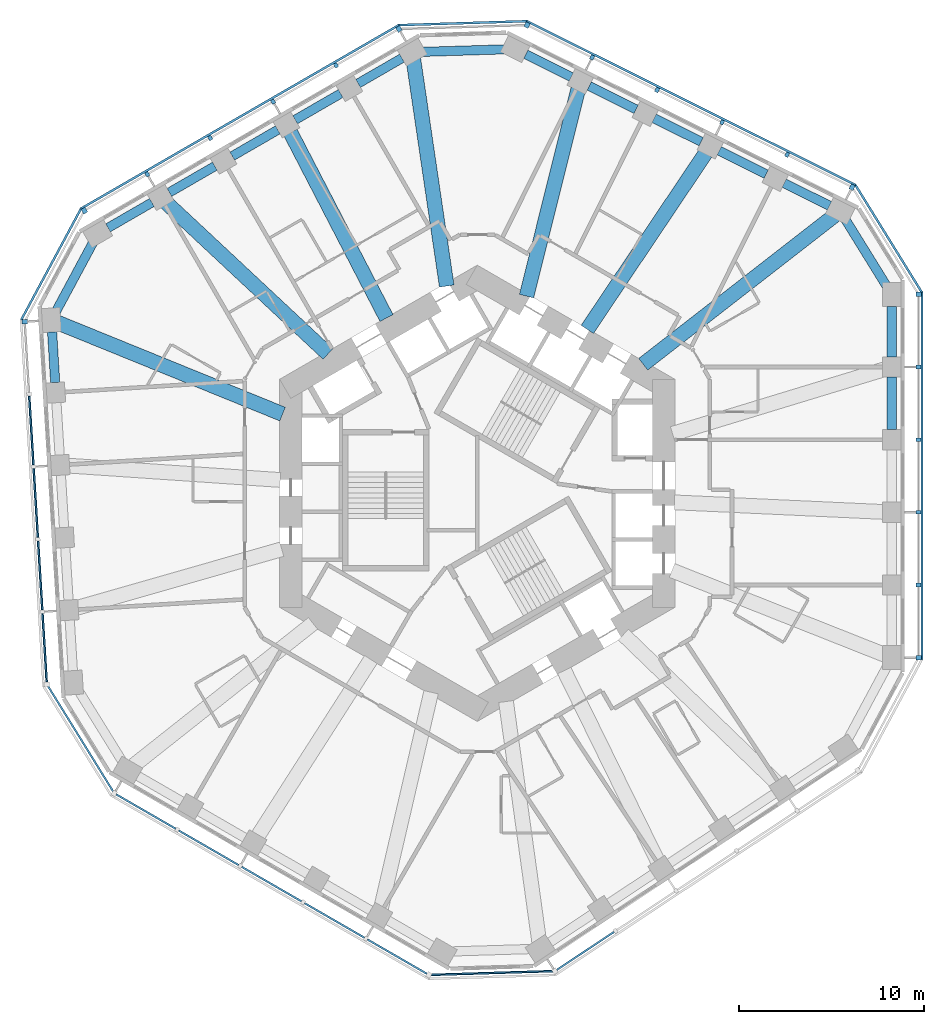
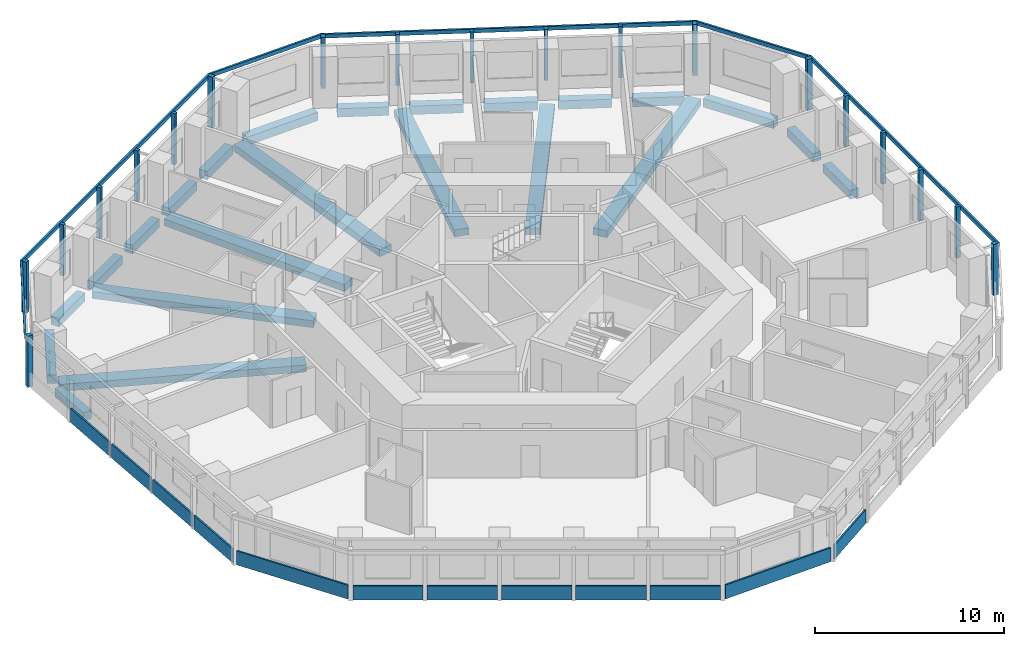
# One storey, part 2 of 12: 25 members, 23 beams, 12 plates, 11 elements without a shape of their own.
"""IFC4 building model written with IfcOpenShell, lengths in metres."""

from ifc_helpers import new_model, si_unit, direction, frame, origin, origin_2d, place, context, subcontext, project, spatial, rectangle, extrude, material, layer, layer_set, material_profile, profile_set, type_object, element, aggregate, save


model = new_model("IFC4")

# Units and contexts
model_context = context("Model", 3, precision=1e-05, world=origin(), true_north=direction((0.0, 1.0)))
body_context = subcontext(model_context, "Body", "Model", "MODEL_VIEW")
ifc_project = project(units=[si_unit("LENGTHUNIT", "METRE"), si_unit("AREAUNIT", "SQUARE_METRE"), si_unit("VOLUMEUNIT", "CUBIC_METRE"), si_unit("PLANEANGLEUNIT", "RADIAN"), si_unit("MASSUNIT", "GRAM", prefix="KILO")], contexts=[model_context])

# Site, building, storey
site_placement = place(None, origin())
site = spatial("IfcSite", under=ifc_project, at=site_placement, CompositionType="ELEMENT")
building_placement = place(site_placement, origin())
building = spatial("IfcBuilding", under=site, at=building_placement, Name="Vanh Sen Convention Tower", CompositionType="ELEMENT")
storey_placement = place(building_placement, frame((0.0, 0.0, 113.300048828125)))
storey = spatial("IfcBuildingStorey", under=building, at=storey_placement, Name="L27", CompositionType="ELEMENT", Elevation=113.300048828125)

# Curtain wall, members
ifc_material_1 = material(Name="Concrete C50/60", Category="concrete")
curtain_wall_type = type_object("IfcCurtainWallType", Name="Outer skin hotel zone", PredefinedType="NOTDEFINED", material=ifc_material_1)
curtain_wall_1_placement = place(storey_placement, origin())
curtain_wall_1 = element("IfcCurtainWall", 1, at=curtain_wall_1_placement, inside=storey, type_object=curtain_wall_type, Name="OUTER SKIN E L27", PredefinedType="NOTDEFINED")
ifc_material_profile_1 = material_profile(ifc_material_1, rectangle(XDim=0.25, YDim=0.300048828125, at=origin_2d()), Name="Outer skin precast corner fin 250 x 300")
ifc_profile_set_1 = profile_set([ifc_material_profile_1], Name="Concrete C50/60")
member_type_1 = type_object("IfcMemberType", Name="Outer skin precast corner fin 250 x 300", PredefinedType="MULLION", material=ifc_profile_set_1)
member_1_placement = place(storey_placement, frame((23.89990234375, -8.899169921875, 0.0), z_axis=(0.0, 0.0, 1.0), x_axis=(0.0, 1.0, 0.0)))
member_1 = element("IfcMember", 2, at=member_1_placement, type_object=member_type_1, Name="OUTER SKIN CORNER FIN 1 E L27", PredefinedType="MULLION", context=body_context, shape_type="SweptSolid", body=[
    extrude(rectangle(XDim=0.25, YDim=0.300048828125, at=origin_2d()), origin(), (0.0, 0.0, 1.0), 3.300048828125),
])
member_2_placement = place(storey_placement, frame((23.89990234375, 10.773681640625, 0.0), z_axis=(0.0, 0.0, 1.0), x_axis=(0.0, 1.0, 0.0)))
member_2 = element("IfcMember", 3, at=member_2_placement, type_object=member_type_1, Name="OUTER SKIN CORNER FIN 6 E L27", PredefinedType="MULLION", context=body_context, shape_type="SweptSolid", body=[
    extrude(rectangle(XDim=0.25, YDim=0.300048828125, at=origin_2d()), origin(), (0.0, 0.0, 1.0), 3.300048828125),
])

curtain_wall_2_placement = place(storey_placement, origin())
curtain_wall_2 = element("IfcCurtainWall", 4, at=curtain_wall_2_placement, inside=storey, type_object=curtain_wall_type, Name="OUTER SKIN NE L27", PredefinedType="NOTDEFINED")
member_3_placement = place(storey_placement, frame((20.305908203125, 16.581787109375, 0.0), z_axis=(0.0, 0.0, 1.0), x_axis=(-0.894934361602, 0.44619781311, 0.0)))
member_3 = element("IfcMember", 5, at=member_3_placement, type_object=member_type_1, Name="OUTER SKIN CORNER FIN 1 NE L27", PredefinedType="MULLION", context=body_context, shape_type="SweptSolid", body=[
    extrude(rectangle(XDim=0.25, YDim=0.300048828125, at=origin_2d()), origin(), (0.0, 0.0, 1.0), 3.300048828125),
])
member_4_placement = place(storey_placement, frame((2.699951171875, 25.35986328125, 0.0), z_axis=(0.0, 0.0, 1.0), x_axis=(-0.894934361602, 0.44619781311, 0.0)))
member_4 = element("IfcMember", 6, at=member_4_placement, type_object=member_type_1, Name="OUTER SKIN CORNER FIN 6 NE L27", PredefinedType="MULLION", context=body_context, shape_type="SweptSolid", body=[
    extrude(rectangle(XDim=0.25, YDim=0.300048828125, at=origin_2d()), origin(), (0.0, 0.0, 1.0), 3.300048828125),
])

curtain_wall_3_placement = place(storey_placement, origin())
curtain_wall_3 = element("IfcCurtainWall", 7, at=curtain_wall_3_placement, inside=storey, type_object=curtain_wall_type, Name="OUTER SKIN NW L27", PredefinedType="NOTDEFINED")
member_5_placement = place(storey_placement, frame((-4.242919921875, 25.147705078125, 0.0), z_axis=(0.0, 0.0, 1.0), x_axis=(-0.866025403784, -0.5, 0.0)))
member_5 = element("IfcMember", 8, at=member_5_placement, type_object=member_type_1, Name="OUTER SKIN CORNER FIN 1 NW L27", PredefinedType="MULLION", context=body_context, shape_type="SweptSolid", body=[
    extrude(rectangle(XDim=0.25, YDim=0.300048828125, at=origin_2d()), origin(), (0.0, 0.0, 1.0), 3.300048828125),
])
member_6_placement = place(storey_placement, frame((-21.2802734375, 15.31103515625, 0.0), z_axis=(0.0, 0.0, 1.0), x_axis=(-0.866025403784, -0.5, 0.0)))
member_6 = element("IfcMember", 9, at=member_6_placement, type_object=member_type_1, Name="OUTER SKIN CORNER FIN 6 NW L27", PredefinedType="MULLION", context=body_context, shape_type="SweptSolid", body=[
    extrude(rectangle(XDim=0.25, YDim=0.300048828125, at=origin_2d()), origin(), (0.0, 0.0, 1.0), 3.300048828125),
])

# Curtain wall, member
curtain_wall_4_placement = place(storey_placement, origin())
curtain_wall_4 = element("IfcCurtainWall", 10, at=curtain_wall_4_placement, inside=storey, type_object=curtain_wall_type, Name="OUTER SKIN W L27", PredefinedType="NOTDEFINED")
member_7_placement = place(storey_placement, frame((-24.51318359375, 9.294677734375, 0.0), z_axis=(0.0, 0.0, 1.0), x_axis=(0.061048539535, -0.998134798422, 0.0)))
member_7 = element("IfcMember", 11, at=member_7_placement, type_object=member_type_1, Name="OUTER SKIN CORNER FIN 1 W L27", PredefinedType="MULLION", context=body_context, shape_type="SweptSolid", body=[
    extrude(rectangle(XDim=0.25, YDim=0.300048828125, at=origin_2d()), origin(), (0.0, 0.0, 1.0), 3.300048828125),
])

# Member
ifc_material_profile_2 = material_profile(ifc_material_1, rectangle(XDim=0.199951171875, YDim=0.25, at=origin_2d()), Name="Outer skin precast fin 200 x 250")
ifc_profile_set_2 = profile_set([ifc_material_profile_2], Name="Concrete C50/60")
member_type_2 = type_object("IfcMemberType", Name="Outer skin precast fin 200 x 250", PredefinedType="MULLION", material=ifc_profile_set_2)
member_8_placement = place(storey_placement, frame((23.89990234375, -4.964599609375, 0.0), z_axis=(0.0, 0.0, 1.0), x_axis=(0.0, 1.0, 0.0)))
member_8 = element("IfcMember", 12, at=member_8_placement, type_object=member_type_2, Name="OUTER SKIN fin 2 E L27", PredefinedType="MULLION", context=body_context, shape_type="SweptSolid", body=[
    extrude(rectangle(XDim=0.199951171875, YDim=0.25, at=origin_2d()), origin(), (0.0, 0.0, 1.0), 3.300048828125),
])

member_9_placement = place(storey_placement, frame((23.89990234375, -1.030029296875, 0.0), z_axis=(0.0, 0.0, 1.0), x_axis=(0.0, 1.0, 0.0)))
member_9 = element("IfcMember", 13, at=member_9_placement, type_object=member_type_2, Name="OUTER SKIN fin 3 E L27", PredefinedType="MULLION", context=body_context, shape_type="SweptSolid", body=[
    extrude(rectangle(XDim=0.199951171875, YDim=0.25, at=origin_2d()), origin(), (0.0, 0.0, 1.0), 3.300048828125),
])

member_10_placement = place(storey_placement, frame((23.89990234375, 2.904541015625, 0.0), z_axis=(0.0, 0.0, 1.0), x_axis=(0.0, 1.0, 0.0)))
member_10 = element("IfcMember", 14, at=member_10_placement, type_object=member_type_2, Name="OUTER SKIN fin 4 E L27", PredefinedType="MULLION", context=body_context, shape_type="SweptSolid", body=[
    extrude(rectangle(XDim=0.199951171875, YDim=0.25, at=origin_2d()), origin(), (0.0, 0.0, 1.0), 3.300048828125),
])

member_11_placement = place(storey_placement, frame((23.89990234375, 6.839111328125, 0.0), z_axis=(0.0, 0.0, 1.0), x_axis=(0.0, 1.0, 0.0)))
member_11 = element("IfcMember", 15, at=member_11_placement, type_object=member_type_2, Name="OUTER SKIN fin 5 E L27", PredefinedType="MULLION", context=body_context, shape_type="SweptSolid", body=[
    extrude(rectangle(XDim=0.199951171875, YDim=0.25, at=origin_2d()), origin(), (0.0, 0.0, 1.0), 3.300048828125),
])

member_12_placement = place(storey_placement, frame((16.78466796875, 18.33740234375, 0.0), z_axis=(0.0, 0.0, 1.0), x_axis=(-0.894934361602, 0.44619781311, 0.0)))
member_12 = element("IfcMember", 16, at=member_12_placement, type_object=member_type_2, Name="OUTER SKIN fin 2 NE L27", PredefinedType="MULLION", context=body_context, shape_type="SweptSolid", body=[
    extrude(rectangle(XDim=0.199951171875, YDim=0.25, at=origin_2d()), origin(), (0.0, 0.0, 1.0), 3.300048828125),
])

member_13_placement = place(storey_placement, frame((13.263427734375, 20.093017578125, 0.0), z_axis=(0.0, 0.0, 1.0), x_axis=(-0.894934361602, 0.44619781311, 0.0)))
member_13 = element("IfcMember", 17, at=member_13_placement, type_object=member_type_2, Name="OUTER SKIN fin 3 NE L27", PredefinedType="MULLION", context=body_context, shape_type="SweptSolid", body=[
    extrude(rectangle(XDim=0.199951171875, YDim=0.25, at=origin_2d()), origin(), (0.0, 0.0, 1.0), 3.300048828125),
])

member_14_placement = place(storey_placement, frame((9.7421875, 21.8486328125, 0.0), z_axis=(0.0, 0.0, 1.0), x_axis=(-0.894934361602, 0.44619781311, 0.0)))
member_14 = element("IfcMember", 18, at=member_14_placement, type_object=member_type_2, Name="OUTER SKIN fin 4 NE L27", PredefinedType="MULLION", context=body_context, shape_type="SweptSolid", body=[
    extrude(rectangle(XDim=0.199951171875, YDim=0.25, at=origin_2d()), origin(), (0.0, 0.0, 1.0), 3.300048828125),
])

member_15_placement = place(storey_placement, frame((6.22119140625, 23.604248046875, 0.0), z_axis=(0.0, 0.0, 1.0), x_axis=(-0.894934361602, 0.44619781311, 0.0)))
member_15 = element("IfcMember", 19, at=member_15_placement, type_object=member_type_2, Name="OUTER SKIN fin 5 NE L27", PredefinedType="MULLION", context=body_context, shape_type="SweptSolid", body=[
    extrude(rectangle(XDim=0.199951171875, YDim=0.25, at=origin_2d()), origin(), (0.0, 0.0, 1.0), 3.300048828125),
])

member_16_placement = place(storey_placement, frame((-7.650390625, 23.180419921875, 0.0), z_axis=(0.0, 0.0, 1.0), x_axis=(-0.866025403784, -0.5, 0.0)))
member_16 = element("IfcMember", 20, at=member_16_placement, type_object=member_type_2, Name="OUTER SKIN fin 2 NW L27", PredefinedType="MULLION", context=body_context, shape_type="SweptSolid", body=[
    extrude(rectangle(XDim=0.199951171875, YDim=0.25, at=origin_2d()), origin(), (0.0, 0.0, 1.0), 3.300048828125),
])

member_17_placement = place(storey_placement, frame((-11.057861328125, 21.212890625, 0.0), z_axis=(0.0, 0.0, 1.0), x_axis=(-0.866025403784, -0.5, 0.0)))
member_17 = element("IfcMember", 21, at=member_17_placement, type_object=member_type_2, Name="OUTER SKIN fin 3 NW L27", PredefinedType="MULLION", context=body_context, shape_type="SweptSolid", body=[
    extrude(rectangle(XDim=0.199951171875, YDim=0.25, at=origin_2d()), origin(), (0.0, 0.0, 1.0), 3.300048828125),
])

member_18_placement = place(storey_placement, frame((-14.46533203125, 19.24560546875, 0.0), z_axis=(0.0, 0.0, 1.0), x_axis=(-0.866025403784, -0.5, 0.0)))
member_18 = element("IfcMember", 22, at=member_18_placement, type_object=member_type_2, Name="OUTER SKIN fin 4 NW L27", PredefinedType="MULLION", context=body_context, shape_type="SweptSolid", body=[
    extrude(rectangle(XDim=0.199951171875, YDim=0.25, at=origin_2d()), origin(), (0.0, 0.0, 1.0), 3.300048828125),
])

member_19_placement = place(storey_placement, frame((-17.872802734375, 17.2783203125, 0.0), z_axis=(0.0, 0.0, 1.0), x_axis=(-0.866025403784, -0.5, 0.0)))
member_19 = element("IfcMember", 23, at=member_19_placement, type_object=member_type_2, Name="OUTER SKIN fin 5 NW L27", PredefinedType="MULLION", context=body_context, shape_type="SweptSolid", body=[
    extrude(rectangle(XDim=0.199951171875, YDim=0.25, at=origin_2d()), origin(), (0.0, 0.0, 1.0), 3.300048828125),
])

ifc_material_profile_3 = material_profile(ifc_material_1, rectangle(XDim=0.1201171875, YDim=0.25, at=origin_2d()), Name="Outer skin precast spandrel band 250 x 120")
ifc_profile_set_3 = profile_set([ifc_material_profile_3], Name="Concrete C50/60")
member_type_3 = type_object("IfcMemberType", Name="Outer skin precast spandrel band 250 x 120", PredefinedType="USERDEFINED", material=ifc_profile_set_3)
member_20_placement = place(storey_placement, frame((24.0849609375, -9.024169921875, 3.175048828125), z_axis=(0.0, 1.0, 0.0), x_axis=(-1.0, 0.0, 0.0)))
member_20 = element("IfcMember", 24, at=member_20_placement, type_object=member_type_3, Name="OUTER SKIN spandrel band E L27", ObjectType="TRANSOM", PredefinedType="USERDEFINED", context=body_context, shape_type="SweptSolid", body=[
    extrude(rectangle(XDim=0.1201171875, YDim=0.25, at=origin_2d()), origin(), (0.0, 0.0, 1.0), 19.9228515625),
])

aggregate(curtain_wall_1, [member_1, member_8, member_9, member_10, member_11, member_2, member_20])

# Curtain wall, member
curtain_wall_5_placement = place(storey_placement, origin())
curtain_wall_5 = element("IfcCurtainWall", 25, at=curtain_wall_5_placement, inside=storey, type_object=curtain_wall_type, Name="OUTER SKIN CH1 L27", PredefinedType="NOTDEFINED")
member_21_placement = place(storey_placement, frame((24.07861328125, 10.88427734375, 3.175048828125), z_axis=(-0.526195864379, 0.850363400148, 0.0), x_axis=(-0.850363400148, -0.526195864379, 0.0)))
member_21 = element("IfcMember", 26, at=member_21_placement, type_object=member_type_3, Name="OUTER SKIN spandrel band CH1 L27", ObjectType="TRANSOM", PredefinedType="USERDEFINED", context=body_context, shape_type="SweptSolid", body=[
    extrude(rectangle(XDim=0.1201171875, YDim=0.25, at=origin_2d()), origin(), (0.0, 0.0, 1.0), 6.830078125),
])
aggregate(curtain_wall_5, [member_21])

# Member
member_22_placement = place(storey_placement, frame((20.500244140625, 16.69140625, 3.175048828125), z_axis=(-0.894931498167, 0.446203556227, 0.0), x_axis=(-0.446203556227, -0.894931498167, 0.0)))
member_22 = element("IfcMember", 27, at=member_22_placement, type_object=member_type_3, Name="OUTER SKIN spandrel band NE L27", ObjectType="TRANSOM", PredefinedType="USERDEFINED", context=body_context, shape_type="SweptSolid", body=[
    extrude(rectangle(XDim=0.1201171875, YDim=0.25, at=origin_2d()), origin(), (0.0, 0.0, 1.0), 19.9228515625),
])

aggregate(curtain_wall_2, [member_3, member_12, member_13, member_14, member_15, member_4, member_22])

# Curtain wall, member
curtain_wall_6_placement = place(storey_placement, origin())
curtain_wall_6 = element("IfcCurtainWall", 28, at=curtain_wall_6_placement, inside=storey, type_object=curtain_wall_type, Name="OUTER SKIN CH2 L27", PredefinedType="NOTDEFINED")
member_23_placement = place(storey_placement, frame((2.693603515625, 25.569580078125, 3.175048828125), z_axis=(-0.999533472857, -0.030542374483, 0.0), x_axis=(0.030542374483, -0.999533472857, 0.0)))
member_23 = element("IfcMember", 29, at=member_23_placement, type_object=member_type_3, Name="OUTER SKIN spandrel band CH2 L27", ObjectType="TRANSOM", PredefinedType="USERDEFINED", context=body_context, shape_type="SweptSolid", body=[
    extrude(rectangle(XDim=0.1201171875, YDim=0.25, at=origin_2d()), origin(), (0.0, 0.0, 1.0), 6.9462890625),
])
aggregate(curtain_wall_6, [member_23])

# Member
member_24_placement = place(storey_placement, frame((-4.227294921875, 25.370361328125, 3.175048828125), z_axis=(-0.866028047459, -0.499995420993, 0.0), x_axis=(0.499995420993, -0.866028047459, 0.0)))
member_24 = element("IfcMember", 30, at=member_24_placement, type_object=member_type_3, Name="OUTER SKIN spandrel band NW L27", ObjectType="TRANSOM", PredefinedType="USERDEFINED", context=body_context, shape_type="SweptSolid", body=[
    extrude(rectangle(XDim=0.1201171875, YDim=0.25, at=origin_2d()), origin(), (0.0, 0.0, 1.0), 19.923095703125),
])

aggregate(curtain_wall_3, [member_5, member_16, member_17, member_18, member_19, member_6, member_24])

# Curtain wall, member
curtain_wall_7_placement = place(storey_placement, origin())
curtain_wall_7 = element("IfcCurtainWall", 31, at=curtain_wall_7_placement, inside=storey, type_object=curtain_wall_type, Name="OUTER SKIN CH3 L27", PredefinedType="NOTDEFINED")
member_25_placement = place(storey_placement, frame((-21.46533203125, 15.410400390625, 3.175048828125), z_axis=(-0.473315186561, -0.880893145717, 0.0), x_axis=(0.880893145717, -0.473315186561, 0.0)))
member_25 = element("IfcMember", 32, at=member_25_placement, type_object=member_type_3, Name="OUTER SKIN spandrel band CH3 L27", ObjectType="TRANSOM", PredefinedType="USERDEFINED", context=body_context, shape_type="SweptSolid", body=[
    extrude(rectangle(XDim=0.1201171875, YDim=0.25, at=origin_2d()), origin(), (0.0, 0.0, 1.0), 6.829833984375),
])
aggregate(curtain_wall_7, [member_25])

# Beams
ifc_material_2 = material(Name="Concrete C50/60", Category="concrete")
ifc_material_profile_4 = material_profile(ifc_material_2, rectangle(XDim=0.800048828125, YDim=0.449951171875, at=origin_2d()), Name="RC 800X450")
ifc_profile_set_4 = profile_set([ifc_material_profile_4], Name="Concrete C50/60")
beam_type_1 = type_object("IfcBeamType", Name="Radial floor beam 800 x 450", PredefinedType="BEAM", material=ifc_profile_set_4)
beam_1_placement = place(storey_placement, frame((19.376708984375, 15.064697265625, -0.47509765625), z_axis=(-0.789479064473, -0.613777489616, 0.0), x_axis=(0.613777489616, -0.789479064473, 0.0)))
element("IfcBeam", 33, at=beam_1_placement, inside=storey, type_object=beam_type_1, Name="Radial beam 04 L27", PredefinedType="BEAM", context=body_context, shape_type="SweptSolid", body=[
    extrude(rectangle(XDim=0.800048828125, YDim=0.449951171875, at=origin_2d()), origin(), (0.0, 0.0, 1.0), 13.16015625),
])
beam_2_placement = place(storey_placement, frame((12.3671875, 18.423828125, -0.47509765625), z_axis=(-0.557338631, -0.830285282536, 0.0), x_axis=(0.830285282536, -0.557338631, 0.0)))
element("IfcBeam", 34, at=beam_2_placement, inside=storey, type_object=beam_type_1, Name="Radial beam 05 L27", PredefinedType="BEAM", context=body_context, shape_type="SweptSolid", body=[
    extrude(rectangle(XDim=0.800048828125, YDim=0.449951171875, at=origin_2d()), origin(), (0.0, 0.0, 1.0), 11.497314453125),
])
beam_3_placement = place(storey_placement, frame((5.47265625, 21.900390625, -0.47509765625), z_axis=(-0.242436270236, -0.97016733344, 0.0), x_axis=(0.97016733344, -0.242436270236, 0.0)))
element("IfcBeam", 35, at=beam_3_placement, inside=storey, type_object=beam_type_1, Name="Radial beam 06 L27", PredefinedType="BEAM", context=body_context, shape_type="SweptSolid", body=[
    extrude(rectangle(XDim=0.800048828125, YDim=0.449951171875, at=origin_2d()), origin(), (0.0, 0.0, 1.0), 11.563720703125),
])
beam_4_placement = place(storey_placement, frame((-3.46337890625, 23.521484375, -0.47509765625), z_axis=(0.145674386683, -0.989332589711, 0.0), x_axis=(0.989332589711, 0.145674386683, 0.0)))
element("IfcBeam", 36, at=beam_4_placement, inside=storey, type_object=beam_type_1, Name="Radial beam 07 L27", PredefinedType="BEAM", context=body_context, shape_type="SweptSolid", body=[
    extrude(rectangle(XDim=0.800048828125, YDim=0.449951171875, at=origin_2d()), origin(), (0.0, 0.0, 1.0), 12.4287109375),
])
beam_5_placement = place(storey_placement, frame((-10.113525390625, 19.53369140625, -0.47509765625), z_axis=(0.459777032111, -0.888034391644, 0.0), x_axis=(0.888034391644, 0.459777032111, 0.0)))
element("IfcBeam", 37, at=beam_5_placement, inside=storey, type_object=beam_type_1, Name="Radial beam 08 L27", PredefinedType="BEAM", context=body_context, shape_type="SweptSolid", body=[
    extrude(rectangle(XDim=0.800048828125, YDim=0.449951171875, at=origin_2d()), origin(), (0.0, 0.0, 1.0), 11.30859375),
])
beam_6_placement = place(storey_placement, frame((-16.858642578125, 15.75244140625, -0.47509765625), z_axis=(0.730678761729, -0.6827214272, 0.0), x_axis=(0.6827214272, 0.730678761729, 0.0)))
element("IfcBeam", 38, at=beam_6_placement, inside=storey, type_object=beam_type_1, Name="Radial beam 09 L27", PredefinedType="BEAM", context=body_context, shape_type="SweptSolid", body=[
    extrude(rectangle(XDim=0.800048828125, YDim=0.449951171875, at=origin_2d()), origin(), (0.0, 0.0, 1.0), 12.01416015625),
])
beam_7_placement = place(storey_placement, frame((-22.734619140625, 9.248291015625, -0.47509765625), z_axis=(0.926292218259, -0.376805953236, 0.0), x_axis=(0.376805953236, 0.926292218259, 0.0)))
element("IfcBeam", 39, at=beam_7_placement, inside=storey, type_object=beam_type_1, Name="Radial beam 10 L27", PredefinedType="BEAM", context=body_context, shape_type="SweptSolid", body=[
    extrude(rectangle(XDim=0.800048828125, YDim=0.449951171875, at=origin_2d()), origin(), (0.0, 0.0, 1.0), 13.159912109375),
])
ifc_material_profile_5 = material_profile(ifc_material_2, rectangle(XDim=0.5, YDim=0.550048828125, at=origin_2d()), Name="RC 500X550")
ifc_profile_set_5 = profile_set([ifc_material_profile_5], Name="Concrete C50/60")
beam_type_2 = type_object("IfcBeamType", Name="Spandrel beam 500 x 550", PredefinedType="SPANDREL", material=ifc_profile_set_5)
beam_8_placement = place(storey_placement, frame((22.449951171875, 3.449462890625, -0.525146484375), z_axis=(0.0, 1.0, 0.0), x_axis=(-1.0, 0.0, 0.0)))
element("IfcBeam", 40, at=beam_8_placement, inside=storey, type_object=beam_type_2, Name="Spandrel beam 04 L27", PredefinedType="SPANDREL", context=body_context, shape_type="SweptSolid", body=[
    extrude(rectangle(XDim=0.5, YDim=0.550048828125, at=origin_2d()), origin(), (0.0, 0.0, 1.0), 2.8447265625),
])
beam_9_placement = place(storey_placement, frame((22.449951171875, 7.384033203125, -0.525146484375), z_axis=(0.0, 1.0, 0.0), x_axis=(-1.0, 0.0, 0.0)))
element("IfcBeam", 41, at=beam_9_placement, inside=storey, type_object=beam_type_2, Name="Spandrel beam 05 L27", PredefinedType="SPANDREL", context=body_context, shape_type="SweptSolid", body=[
    extrude(rectangle(XDim=0.5, YDim=0.550048828125, at=origin_2d()), origin(), (0.0, 0.0, 1.0), 2.74462890625),
])
beam_10_placement = place(storey_placement, frame((22.165283203125, 11.23388671875, -0.525146484375), z_axis=(-0.526225208879, 0.850345241381, 0.0), x_axis=(-0.850345241381, -0.526225208879, 0.0)))
element("IfcBeam", 42, at=beam_10_placement, inside=storey, type_object=beam_type_2, Name="Spandrel beam 06 L27", PredefinedType="SPANDREL", context=body_context, shape_type="SweptSolid", body=[
    extrude(rectangle(XDim=0.5, YDim=0.550048828125, at=origin_2d()), origin(), (0.0, 0.0, 1.0), 4.221923828125),
])
beam_11_placement = place(storey_placement, frame((19.081787109375, 15.572021484375, -0.525146484375), z_axis=(-0.894978032936, 0.446110211229, 0.0), x_axis=(-0.446110211229, -0.894978032936, 0.0)))
element("IfcBeam", 43, at=beam_11_placement, inside=storey, type_object=beam_type_2, Name="Spandrel beam 07 L27", PredefinedType="SPANDREL", context=body_context, shape_type="SweptSolid", body=[
    extrude(rectangle(XDim=0.5, YDim=0.550048828125, at=origin_2d()), origin(), (0.0, 0.0, 1.0), 2.74462890625),
])
beam_12_placement = place(storey_placement, frame((15.64990234375, 17.282958984375, -0.525146484375), z_axis=(-0.894958709308, 0.44614897583, 0.0), x_axis=(-0.44614897583, -0.894958709308, 0.0)))
element("IfcBeam", 44, at=beam_12_placement, inside=storey, type_object=beam_type_2, Name="Spandrel beam 08 L27", PredefinedType="SPANDREL", context=body_context, shape_type="SweptSolid", body=[
    extrude(rectangle(XDim=0.5, YDim=0.550048828125, at=origin_2d()), origin(), (0.0, 0.0, 1.0), 2.844482421875),
])
for number, where, z_axis, x_axis, name in (
    (45, (12.12890625, 19.03857421875, -0.525146484375), (-0.894975791885, 0.446114707155, 0.0), (-0.446114707155, -0.894975791885, 0.0), "Spandrel beam 09 L27"),
    (46, (8.607666015625, 20.794189453125, -0.525146484375), (-0.894975791885, 0.446114707155, 0.0), (-0.446114707155, -0.894975791885, 0.0), "Spandrel beam 10 L27"),
):
    element("IfcBeam", number, at=place(storey_placement, frame(where, z_axis=z_axis, x_axis=x_axis)), inside=storey, type_object=beam_type_2, Name=name, PredefinedType="SPANDREL", context=body_context, shape_type="SweptSolid", body=[
        extrude(rectangle(XDim=0.5, YDim=0.550048828125, at=origin_2d()), origin(), (0.0, 0.0, 1.0), 2.8447265625),
    ])
beam_13_placement = place(storey_placement, frame((5.08642578125, 22.5498046875, -0.525146484375), z_axis=(-0.894942515368, 0.44618145881, 0.0), x_axis=(-0.44618145881, -0.894942515368, 0.0)))
element("IfcBeam", 47, at=beam_13_placement, inside=storey, type_object=beam_type_2, Name="Spandrel beam 11 L27", PredefinedType="SPANDREL", context=body_context, shape_type="SweptSolid", body=[
    extrude(rectangle(XDim=0.5, YDim=0.550048828125, at=origin_2d()), origin(), (0.0, 0.0, 1.0), 2.74462890625),
])
beam_14_placement = place(storey_placement, frame((1.467041015625, 24.044189453125, -0.525146484375), z_axis=(-0.999534488219, -0.030509127505, 0.0), x_axis=(0.030509127505, -0.999534488219, 0.0)))
element("IfcBeam", 48, at=beam_14_placement, inside=storey, type_object=beam_type_2, Name="Spandrel beam 12 L27", PredefinedType="SPANDREL", context=body_context, shape_type="SweptSolid", body=[
    extrude(rectangle(XDim=0.5, YDim=0.550048828125, at=origin_2d()), origin(), (0.0, 0.0, 1.0), 4.401123046875),
])
beam_15_placement = place(storey_placement, frame((-4.07666015625, 23.5693359375, -0.525146484375), z_axis=(-0.866028570666, -0.499994514761, 0.0), x_axis=(0.499994514761, -0.866028570666, 0.0)))
element("IfcBeam", 49, at=beam_15_placement, inside=storey, type_object=beam_type_2, Name="Spandrel beam 13 L27", PredefinedType="SPANDREL", context=body_context, shape_type="SweptSolid", body=[
    extrude(rectangle(XDim=0.5, YDim=0.550048828125, at=origin_2d()), origin(), (0.0, 0.0, 1.0), 2.74462890625),
])
for number, where, z_axis, x_axis, name in (
    (50, (-7.3974609375, 21.652099609375, -0.525146484375), (-0.866005490874, -0.500034488586, 0.0), (0.500034488586, -0.866005490874, 0.0), "Spandrel beam 14 L27"),
    (51, (-10.804931640625, 19.684814453125, -0.525146484375), (-0.866005490874, -0.500034488586, 0.0), (0.500034488586, -0.866005490874, 0.0), "Spandrel beam 15 L27"),
    (52, (-14.21240234375, 17.717529296875, -0.525146484375), (-0.866005490874, -0.500034488586, 0.0), (0.500034488586, -0.866005490874, 0.0), "Spandrel beam 16 L27"),
):
    element("IfcBeam", number, at=place(storey_placement, frame(where, z_axis=z_axis, x_axis=x_axis)), inside=storey, type_object=beam_type_2, Name=name, PredefinedType="SPANDREL", context=body_context, shape_type="SweptSolid", body=[
        extrude(rectangle(XDim=0.5, YDim=0.550048828125, at=origin_2d()), origin(), (0.0, 0.0, 1.0), 2.844482421875),
    ])
beam_16_placement = place(storey_placement, frame((-17.619873046875, 15.750244140625, -0.525146484375), z_axis=(-0.866006330792, -0.500033033937, 0.0), x_axis=(0.500033033937, -0.866006330792, 0.0)))
element("IfcBeam", 53, at=beam_16_placement, inside=storey, type_object=beam_type_2, Name="Spandrel beam 17 L27", PredefinedType="SPANDREL", context=body_context, shape_type="SweptSolid", body=[
    extrude(rectangle(XDim=0.5, YDim=0.550048828125, at=origin_2d()), origin(), (0.0, 0.0, 1.0), 2.744384765625),
])
beam_17_placement = place(storey_placement, frame((-20.811279296875, 13.57861328125, -0.525146484375), z_axis=(-0.473344400705, -0.880877447958, 0.0), x_axis=(0.880877447958, -0.473344400705, 0.0)))
element("IfcBeam", 54, at=beam_17_placement, inside=storey, type_object=beam_type_2, Name="Spandrel beam 18 L27", PredefinedType="SPANDREL", context=body_context, shape_type="SweptSolid", body=[
    extrude(rectangle(XDim=0.5, YDim=0.550048828125, at=origin_2d()), origin(), (0.0, 0.0, 1.0), 4.2216796875),
])
beam_18_placement = place(storey_placement, frame((-23.0263671875, 8.7392578125, -0.525146484375), z_axis=(0.061021442686, -0.998136455367, 0.0), x_axis=(0.998136455367, 0.061021442686, 0.0)))
element("IfcBeam", 55, at=beam_18_placement, inside=storey, type_object=beam_type_2, Name="Spandrel beam 19 L27", PredefinedType="SPANDREL", context=body_context, shape_type="SweptSolid", body=[
    extrude(rectangle(XDim=0.5, YDim=0.550048828125, at=origin_2d()), origin(), (0.0, 0.0, 1.0), 2.74462890625),
])

# Plate
ifc_layer = layer(ifc_material_1, 0.10009765625)
ifc_layer_set = layer_set([ifc_layer], Name="Concrete C50/60")
plate_type = type_object("IfcPlateType", Name="Outer skin precast screen panel 100", PredefinedType="CURTAIN_PANEL", material=ifc_layer_set)
plate_1_placement = place(storey_placement, frame((-24.15283203125, 3.40380859375, 0.0), z_axis=(0.0, 0.0, 1.0), x_axis=(0.061048539535, -0.998134798422, 0.0)))
plate_1 = element("IfcPlate", 56, at=plate_1_placement, type_object=plate_type, Name="OUTER SKIN screen panel W-2", PredefinedType="CURTAIN_PANEL", context=body_context, shape_type="SweptSolid", body=[
    extrude(rectangle(XDim=3.734619140625, YDim=0.10009765625, at=origin_2d()), origin(), (0.0, 0.0, 1.0), 0.89990234375),
])

plate_2_placement = place(storey_placement, frame((-23.91259765625, -0.523681640625, 0.0), z_axis=(0.0, 0.0, 1.0), x_axis=(0.061046797461, -0.99813490497, 0.0)))
plate_2 = element("IfcPlate", 57, at=plate_2_placement, type_object=plate_type, Name="OUTER SKIN screen panel W-3", PredefinedType="CURTAIN_PANEL", context=body_context, shape_type="SweptSolid", body=[
    extrude(rectangle(XDim=3.734619140625, YDim=0.10009765625, at=origin_2d()), origin(), (0.0, 0.0, 1.0), 0.89990234375),
])

plate_3_placement = place(storey_placement, frame((-23.67236328125, -4.45068359375, 0.0), z_axis=(0.0, 0.0, 1.0), x_axis=(0.061048539535, -0.998134798422, 0.0)))
plate_3 = element("IfcPlate", 58, at=plate_3_placement, type_object=plate_type, Name="OUTER SKIN screen panel W-4", PredefinedType="CURTAIN_PANEL", context=body_context, shape_type="SweptSolid", body=[
    extrude(rectangle(XDim=3.734619140625, YDim=0.10009765625, at=origin_2d()), origin(), (0.0, 0.0, 1.0), 0.89990234375),
])

plate_4_placement = place(storey_placement, frame((-23.43310546875, -8.365478515625, 0.0), z_axis=(0.0, 0.0, 1.0), x_axis=(0.061046797461, -0.99813490497, 0.0)))
plate_4 = element("IfcPlate", 59, at=plate_4_placement, type_object=plate_type, Name="OUTER SKIN screen panel W-5", PredefinedType="CURTAIN_PANEL", context=body_context, shape_type="SweptSolid", body=[
    extrude(rectangle(XDim=3.709716796875, YDim=0.10009765625, at=origin_2d()), origin(), (0.0, 0.0, 1.0), 0.89990234375),
])

aggregate(curtain_wall_4, [member_7, plate_1, plate_2, plate_3, plate_4])

# Curtain wall, plate
curtain_wall_8_placement = place(storey_placement, origin())
curtain_wall_8 = element("IfcCurtainWall", 60, at=curtain_wall_8_placement, inside=storey, type_object=curtain_wall_type, Name="OUTER SKIN CH4 L27", PredefinedType="NOTDEFINED")
plate_5_placement = place(storey_placement, frame((-21.484619140625, -13.295166015625, 0.0), z_axis=(0.0, 0.0, 1.0), x_axis=(0.526205018755, -0.850357735448, 0.0)))
plate_5 = element("IfcPlate", 61, at=plate_5_placement, type_object=plate_type, Name="OUTER SKIN screen panel CH4-1", PredefinedType="CURTAIN_PANEL", context=body_context, shape_type="SweptSolid", body=[
    extrude(rectangle(XDim=6.6962890625, YDim=0.10009765625, at=origin_2d()), origin(), (0.0, 0.0, 1.0), 0.89990234375),
])
aggregate(curtain_wall_8, [plate_5])

# Curtain wall, plates
curtain_wall_9_placement = place(storey_placement, origin())
curtain_wall_9 = element("IfcCurtainWall", 62, at=curtain_wall_9_placement, inside=storey, type_object=curtain_wall_type, Name="OUTER SKIN SW L27", PredefinedType="NOTDEFINED")
plate_6_placement = place(storey_placement, frame((-17.9423828125, -17.23828125, 0.0), z_axis=(0.0, 0.0, 1.0), x_axis=(0.866028021766, -0.499995465495, 0.0)))
plate_6 = element("IfcPlate", 63, at=plate_6_placement, type_object=plate_type, Name="OUTER SKIN screen panel SW-1", PredefinedType="CURTAIN_PANEL", context=body_context, shape_type="SweptSolid", body=[
    extrude(rectangle(XDim=3.709716796875, YDim=0.10009765625, at=origin_2d()), origin(), (0.0, 0.0, 1.0), 0.89990234375),
])
plate_7_placement = place(storey_placement, frame((-14.5458984375, -19.19921875, 0.0), z_axis=(0.0, 0.0, 1.0), x_axis=(0.866032385017, -0.499987907955, 0.0)))
plate_7 = element("IfcPlate", 64, at=plate_7_placement, type_object=plate_type, Name="OUTER SKIN screen panel SW-2", PredefinedType="CURTAIN_PANEL", context=body_context, shape_type="SweptSolid", body=[
    extrude(rectangle(XDim=3.734619140625, YDim=0.10009765625, at=origin_2d()), origin(), (0.0, 0.0, 1.0), 0.89990234375),
])
plate_8_placement = place(storey_placement, frame((-11.138427734375, -21.16650390625, 0.0), z_axis=(0.0, 0.0, 1.0), x_axis=(0.866028021766, -0.499995465495, 0.0)))
plate_8 = element("IfcPlate", 65, at=plate_8_placement, type_object=plate_type, Name="OUTER SKIN screen panel SW-3", PredefinedType="CURTAIN_PANEL", context=body_context, shape_type="SweptSolid", body=[
    extrude(rectangle(XDim=3.734619140625, YDim=0.10009765625, at=origin_2d()), origin(), (0.0, 0.0, 1.0), 0.89990234375),
])
plate_9_placement = place(storey_placement, frame((-7.73095703125, -23.1337890625, 0.0), z_axis=(0.0, 0.0, 1.0), x_axis=(0.866028021766, -0.499995465495, 0.0)))
plate_9 = element("IfcPlate", 66, at=plate_9_placement, type_object=plate_type, Name="OUTER SKIN screen panel SW-4", PredefinedType="CURTAIN_PANEL", context=body_context, shape_type="SweptSolid", body=[
    extrude(rectangle(XDim=3.734619140625, YDim=0.10009765625, at=origin_2d()), origin(), (0.0, 0.0, 1.0), 0.89990234375),
])
plate_10_placement = place(storey_placement, frame((-4.334228515625, -25.094970703125, 0.0), z_axis=(0.0, 0.0, 1.0), x_axis=(0.866021040428, -0.500007557478, 0.0)))
plate_10 = element("IfcPlate", 67, at=plate_10_placement, type_object=plate_type, Name="OUTER SKIN screen panel SW-5", PredefinedType="CURTAIN_PANEL", context=body_context, shape_type="SweptSolid", body=[
    extrude(rectangle(XDim=3.70947265625, YDim=0.10009765625, at=origin_2d()), origin(), (0.0, 0.0, 1.0), 0.89990234375),
])
aggregate(curtain_wall_9, [plate_6, plate_7, plate_8, plate_9, plate_10])

# Curtain wall, plate
curtain_wall_10_placement = place(storey_placement, origin())
curtain_wall_10 = element("IfcCurtainWall", 68, at=curtain_wall_10_placement, inside=storey, type_object=curtain_wall_type, Name="OUTER SKIN CH5 L27", PredefinedType="NOTDEFINED")
plate_11_placement = place(storey_placement, frame((0.793701171875, -25.98046875, 0.0), z_axis=(0.0, 0.0, 1.0), x_axis=(0.999533484231, 0.03054200224, 0.0)))
plate_11 = element("IfcPlate", 69, at=plate_11_placement, type_object=plate_type, Name="OUTER SKIN screen panel CH5-1", PredefinedType="CURTAIN_PANEL", context=body_context, shape_type="SweptSolid", body=[
    extrude(rectangle(XDim=6.580078125, YDim=0.10009765625, at=origin_2d()), origin(), (0.0, 0.0, 1.0), 0.89990234375),
])
aggregate(curtain_wall_10, [plate_11])

curtain_wall_11_placement = place(storey_placement, origin())
curtain_wall_11 = element("IfcCurtainWall", 70, at=curtain_wall_11_placement, inside=storey, type_object=curtain_wall_type, Name="OUTER SKIN SE L27", PredefinedType="NOTDEFINED")
plate_12_placement = place(storey_placement, frame((5.858154296875, -24.783447265625, 0.0), z_axis=(0.0, 0.0, 1.0), x_axis=(0.833891601892, 0.55192825285, 0.0)))
plate_12 = element("IfcPlate", 71, at=plate_12_placement, type_object=plate_type, Name="OUTER SKIN screen panel SE-1", PredefinedType="CURTAIN_PANEL", context=body_context, shape_type="SweptSolid", body=[
    extrude(rectangle(XDim=3.709716796875, YDim=0.10009765625, at=origin_2d()), origin(), (0.0, 0.0, 1.0), 0.89990234375),
])
aggregate(curtain_wall_11, [plate_12])

save(model, "model.ifc")
